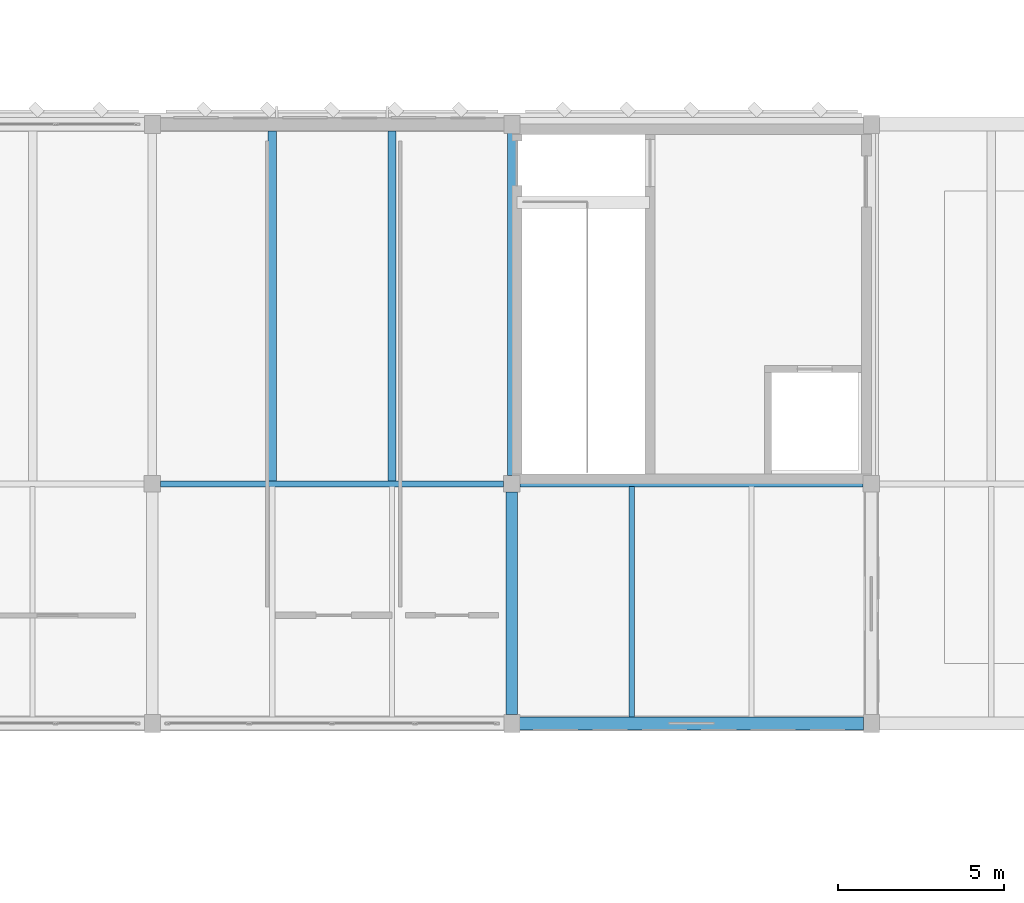
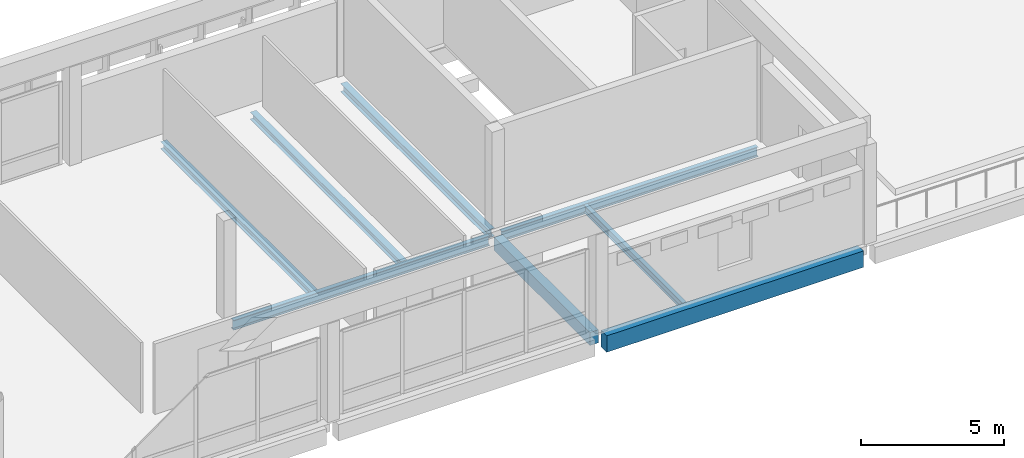
# One storey, part 16 of 33: 8 beams.
"""IFC4 building model written with IfcOpenShell, lengths in metres."""

import ifcopenshell
import ifcopenshell.guid

model = None  # the IFC model being written
_history = None  # IfcOwnerHistory: only IFC2X3 demands one
_inside = {}  # id of a spatial element -> (the spatial element, [elements in it])
_under = {}  # id of a project, library or spatial element -> (it, [spatial elements below it])
_declared = {}  # id of a project -> (the project, [libraries it declares])
_typed = {}  # id of a type object -> (the type object, [elements of that type])
_made_of = {}  # id of a material, layer set ... -> (it, [elements and type objects made of it])


def new_model(schema):
    """Start an empty IFC model of exactly this schema.

    Asked for "IFC4X3", IfcOpenShell would pick the latest addendum, in which some entities
    have other attributes; the version numbers below select the first issue.
    IFC2X3 requires an IfcOwnerHistory on every rooted entity: one is made here for all.
    """
    global model, _history
    if schema == "IFC4X3":
        model = ifcopenshell.file(schema_version=(4, 3, 0, 0))
    else:
        model = ifcopenshell.file(schema=schema)
    _inside.clear()
    _under.clear()
    _declared.clear()
    _typed.clear()
    _made_of.clear()
    _history = None
    if model.schema == "IFC2X3":
        org = make("IfcOrganization", Name="unknown")
        user = make(
            "IfcPersonAndOrganization",
            ThePerson=make("IfcPerson", FamilyName="unknown"),
            TheOrganization=org,
        )
        app = make(
            "IfcApplication",
            ApplicationDeveloper=org,
            Version="unknown",
            ApplicationFullName="unknown",
            ApplicationIdentifier="unknown",
        )
        _history = make(
            "IfcOwnerHistory",
            OwningUser=user,
            OwningApplication=app,
            ChangeAction="ADDED",
            CreationDate=0,
        )
    return model


def make(cls, **values):
    """One entity of the class cls with the attributes given. An attribute that is None is left unset."""
    return model.create_entity(
        cls, **{name: value for name, value in values.items() if value is not None}
    )


def rooted(cls, **values):
    """An entity with a GlobalId (a new one), such as an element, a storey or a relation."""
    return make(cls, GlobalId=ifcopenshell.guid.new(), OwnerHistory=_history, **values)


def si_unit(unit_type, name, prefix=None):
    """IfcSIUnit, for example si_unit("LENGTHUNIT", "METRE", prefix="MILLI")."""
    return make("IfcSIUnit", UnitType=unit_type, Prefix=prefix, Name=name)


def assignment(units):
    """IfcUnitAssignment: the units of a project."""
    return None if units is None else make("IfcUnitAssignment", Units=units)


def point(xyz):
    """IfcCartesianPoint."""
    return None if xyz is None else make("IfcCartesianPoint", Coordinates=xyz)


def direction(xyz):
    """IfcDirection."""
    return None if xyz is None else make("IfcDirection", DirectionRatios=xyz)


def frame(location, z_axis=None, x_axis=None):
    """IfcAxis2Placement3D, a coordinate frame: its origin and axes. An axis left out is left unset."""
    return make(
        "IfcAxis2Placement3D",
        Location=point(location),
        Axis=direction(z_axis),
        RefDirection=direction(x_axis),
    )


def frame_2d(location, x_axis=None):
    """IfcAxis2Placement2D, a coordinate frame in the plane: its origin and x axis."""
    return make(
        "IfcAxis2Placement2D", Location=point(location), RefDirection=direction(x_axis)
    )


def origin():
    """The frame at (0, 0, 0) with its axes left unset."""
    return frame((0.0, 0.0, 0.0))


def origin_2d():
    """The frame at (0, 0) in the plane with its x axis left unset."""
    return frame_2d((0.0, 0.0))


def place(relative_to, where):
    """IfcLocalPlacement: puts the frame where relative to a parent placement (None: the world)."""
    return make(
        "IfcLocalPlacement", PlacementRelTo=relative_to, RelativePlacement=where
    )


def context(
    kind, dimensions, precision=None, world=None, true_north=None, identifier=None
):
    """IfcGeometricRepresentationContext, for example the 3D "Model" context."""
    return make(
        "IfcGeometricRepresentationContext",
        ContextIdentifier=identifier,
        ContextType=kind,
        CoordinateSpaceDimension=dimensions,
        Precision=precision,
        WorldCoordinateSystem=world,
        TrueNorth=true_north,
    )


def subcontext(parent, identifier, kind, view, scale=None):
    """IfcGeometricRepresentationSubContext, for example "Body" below "Model"."""
    return make(
        "IfcGeometricRepresentationSubContext",
        ContextIdentifier=identifier,
        ContextType=kind,
        ParentContext=parent,
        TargetScale=scale,
        TargetView=view,
    )


def project(units=None, contexts=None):
    """IfcProject with its units and contexts."""
    return rooted(
        "IfcProject",
        Name="project",
        RepresentationContexts=contexts,
        UnitsInContext=assignment(units),
    )


def spatial(cls, under=None, at=None, **own):
    """A site, building, storey or space (cls), placed at a placement, below another one or the project."""
    s = rooted(cls, ObjectPlacement=at, **own)
    if under is not None:
        _under.setdefault(under.id(), (under, []))[1].append(s)
    return s


def profile(cls, at=None, kind="AREA", **sizes):
    """A parametric profile (cls). Its sizes go by their IFC names, for example OverallWidth=200.0."""
    return make(cls, ProfileType=kind, Position=at, **sizes)


def rectangle(**sizes):
    """IfcRectangleProfileDef."""
    return profile("IfcRectangleProfileDef", **sizes)


def i_section(**sizes):
    """IfcIShapeProfileDef."""
    return profile("IfcIShapeProfileDef", **sizes)


def extrude(swept, where, along, depth):
    """IfcExtrudedAreaSolid: the profile swept, set in the frame where, extruded along a direction by depth."""
    return make(
        "IfcExtrudedAreaSolid",
        SweptArea=swept,
        Position=where,
        ExtrudedDirection=direction(along),
        Depth=depth,
    )


def shape(context_of_items, identifier, shape_type, items):
    """IfcShapeRepresentation: the items that make up one representation, for example the "Body"."""
    return make(
        "IfcShapeRepresentation",
        ContextOfItems=context_of_items,
        RepresentationIdentifier=identifier,
        RepresentationType=shape_type,
        Items=items,
    )


def material(Name=None, Category=None):
    """IfcMaterial."""
    return make("IfcMaterial", Name=Name, Category=Category)


def material_profile(
    of_material, cross_section, Name=None, Category=None, Priority=None
):
    """IfcMaterialProfile: a cross section and its material."""
    return make(
        "IfcMaterialProfile",
        Name=Name,
        Material=of_material,
        Profile=cross_section,
        Priority=Priority,
        Category=Category,
    )


def profile_set(profiles, Name=None, composite=None):
    """IfcMaterialProfileSet."""
    return make(
        "IfcMaterialProfileSet",
        Name=Name,
        MaterialProfiles=profiles,
        CompositeProfile=composite,
    )


def made_of(thing, what):
    """Note that an element or type object is made of a material, layer set ...; save() writes the relation."""
    if what is not None:
        _made_of.setdefault(what.id(), (what, []))[1].append(thing)
    return thing


def type_object(cls, material=None, **own):
    """A type object (cls), such as IfcWallType, which elements share."""
    return made_of(rooted(cls, **own), material)


def element(
    cls,
    number,
    at=None,
    inside=None,
    cuts=None,
    type_object=None,
    material=None,
    context=None,
    identifier="Body",
    shape_type=None,
    held_by="IfcProductDefinitionShape",
    body=None,
    shapes=None,
    **own,
):
    """One element of the class cls, such as IfcWall. Its Tag is "e" and its number.

    at: its placement. inside: the storey or other place that contains it. cuts: it is an
    opening in that element (IfcRelVoidsElement). A single representation is given by context,
    identifier, shape_type and body (its items); several are given by shapes. held_by: the class
    of the entity that holds the representations. save() writes the other relations.
    """
    e = rooted(cls, Tag="e%d" % number, ObjectPlacement=at, **own)
    if body is not None:
        shapes = [shape(context, identifier, shape_type, body)]
    if shapes is not None:
        e.Representation = make(held_by, Representations=shapes)
    if inside is not None:
        _inside.setdefault(inside.id(), (inside, []))[1].append(e)
    if cuts is not None:
        rooted(
            "IfcRelVoidsElement", RelatingBuildingElement=cuts, RelatedOpeningElement=e
        )
    if type_object is not None:
        _typed.setdefault(type_object.id(), (type_object, []))[1].append(e)
    return made_of(e, material)


def aggregate(whole, parts):
    """IfcRelAggregates: a whole, such as a stair, and the parts it consists of."""
    return rooted("IfcRelAggregates", RelatingObject=whole, RelatedObjects=parts)


def save(model, path):
    """Write the relations noted so far, then the file.

    IfcRelAggregates (storeys below a building ...), IfcRelContainedInSpatialStructure (elements
    in a storey), IfcRelDefinesByType, IfcRelAssociatesMaterial and IfcRelDeclares: one each for
    every whole, place, type object, material and project.
    """
    for whole, parts in _under.values():
        aggregate(whole, parts)
    for where, things in _inside.values():
        rooted(
            "IfcRelContainedInSpatialStructure",
            RelatedElements=things,
            RelatingStructure=where,
        )
    for kind, things in _typed.values():
        rooted("IfcRelDefinesByType", RelatedObjects=things, RelatingType=kind)
    for what, things in _made_of.values():
        rooted("IfcRelAssociatesMaterial", RelatedObjects=things, RelatingMaterial=what)
    for by, libraries in _declared.values():
        rooted("IfcRelDeclares", RelatingContext=by, RelatedDefinitions=libraries)
    model.write(path)


model = new_model("IFC4")

# Units and contexts
model_context = context("Model", 3, precision=1e-05, world=origin(), true_north=direction((0.0, 1.0)))
body_context = subcontext(model_context, "Body", "Model", "MODEL_VIEW")
ifc_project = project(units=[si_unit("LENGTHUNIT", "METRE"), si_unit("AREAUNIT", "SQUARE_METRE"), si_unit("VOLUMEUNIT", "CUBIC_METRE"), si_unit("PLANEANGLEUNIT", "RADIAN"), si_unit("MASSUNIT", "GRAM", prefix="KILO")], contexts=[model_context])

# Site, building, storey
site_placement = place(None, origin())
site = spatial("IfcSite", under=ifc_project, at=site_placement, CompositionType="ELEMENT")
building_placement = place(site_placement, origin())
building = spatial("IfcBuilding", under=site, at=building_placement, Name="Lusvemor Sports Hall", CompositionType="ELEMENT")
storey_placement = place(building_placement, frame((0.0, 0.0, 19.199951171875)))
storey = spatial("IfcBuildingStorey", under=building, at=storey_placement, Name="L04", CompositionType="ELEMENT", Elevation=19.199951171875)

# Beams
ifc_material_1 = material(Name="Concrete C40/50", Category="concrete")
ifc_material_profile_1 = material_profile(ifc_material_1, rectangle(XDim=0.35009765625, YDim=0.550048828125, at=origin_2d()), Name="RC350x550")
ifc_profile_set_1 = profile_set([ifc_material_profile_1], Name="Concrete C40/50")
beam_type_1 = type_object("IfcBeamType", Name="BEAM_RC_550", PredefinedType="BEAM", material=ifc_profile_set_1)
beam_1_placement = place(storey_placement, frame((54.0, 97.466064453125, -0.56494140625), z_axis=(0.0, 1.0, 0.0), x_axis=(-1.0, 0.0, 0.0)))
element("IfcBeam", 1, at=beam_1_placement, inside=storey, type_object=beam_type_1, Name="Beam L04 6:N-P", PredefinedType="BEAM", context=body_context, shape_type="SweptSolid", body=[
    extrude(rectangle(XDim=0.35009765625, YDim=0.550048828125, at=origin_2d()), origin(), (0.0, 0.0, 1.0), 6.68798828125),
])
ifc_material_2 = material(Name="Steel S355", Category="steel")
ifc_material_profile_2 = material_profile(ifc_material_2, i_section(OverallWidth=0.256103515625, OverallDepth=0.360107421875, WebThickness=0.011474609375, FlangeThickness=0.02001953125, FilletRadius=0.014892578125, at=origin_2d()), Name="W360x110.0")
ifc_profile_set_2 = profile_set([ifc_material_profile_2], Name="Steel S355")
beam_type_2 = type_object("IfcBeamType", Name="BEAM_ST_360H", PredefinedType="BEAM", material=ifc_profile_set_2)
beam_2_placement = place(storey_placement, frame((54.0, 104.64599609375, -0.473876953125), z_axis=(0.0, 1.0, 0.0), x_axis=(-1.0, 0.0, 0.0)))
element("IfcBeam", 2, at=beam_2_placement, inside=storey, type_object=beam_type_2, Name="Beam L04 6:P-Q", PredefinedType="BEAM", context=body_context, shape_type="SweptSolid", body=[
    extrude(i_section(OverallWidth=0.256103515625, OverallDepth=0.360107421875, WebThickness=0.011474609375, FlangeThickness=0.02001953125, FilletRadius=0.014892578125, at=origin_2d()), origin(), (0.0, 0.0, 1.0), 10.2880859375),
])
ifc_material_3 = material(Name="Steel S355", Category="steel")
ifc_material_profile_3 = material_profile(ifc_material_3, i_section(OverallWidth=0.180908203125, OverallDepth=0.4169921875, WebThickness=0.010986328125, FlangeThickness=0.018310546875, FilletRadius=0.01611328125, at=origin_2d()), Name="W410x85.0")
ifc_profile_set_3 = profile_set([ifc_material_profile_3], Name="Steel S355")
beam_type_3 = type_object("IfcBeamType", Name="BEAM_ST_410H", PredefinedType="BEAM", material=ifc_profile_set_3)
for number, where, z_axis, x_axis, name in (
    (3, (43.446044921875, 104.39990234375, -0.50244140625), (1.0, 0.0, 0.0), (0.0, 1.0, 0.0), "Beam L04 P:5-6"),
    (4, (54.24609375, 104.39990234375, -0.50244140625), (1.0, 0.0, 0.0), (0.0, 1.0, 0.0), "Beam L04 P:6-7"),
):
    element("IfcBeam", number, at=place(storey_placement, frame(where, z_axis=z_axis, x_axis=x_axis)), inside=storey, type_object=beam_type_3, Name=name, PredefinedType="BEAM", context=body_context, shape_type="SweptSolid", body=[
        extrude(i_section(OverallWidth=0.180908203125, OverallDepth=0.4169921875, WebThickness=0.010986328125, FlangeThickness=0.018310546875, FilletRadius=0.01611328125, at=origin_2d()), origin(), (0.0, 0.0, 1.0), 10.307861328125),
    ])
ifc_material_4 = material(Name="Steel S355", Category="steel")
ifc_material_profile_4 = material_profile(ifc_material_4, i_section(OverallWidth=0.25390625, OverallDepth=0.305908203125, WebThickness=0.0087890625, FlangeThickness=0.0146484375, FilletRadius=0.014892578125, at=origin_2d()), Name="W310x79.0")
ifc_profile_set_4 = profile_set([ifc_material_profile_4], Name="Steel S355")
beam_type_4 = type_object("IfcBeamType", Name="JOIST_ST_310H", PredefinedType="JOIST", material=ifc_profile_set_4)
for number, where, z_axis, x_axis, name in (
    (5, (46.800048828125, 104.486572265625, -0.447021484375), (0.0, 1.0, 0.0), (-1.0, 0.0, 0.0), "Secondary Joist L04 5-6/P-Q #1"),
    (6, (50.39990234375, 104.486572265625, -0.447021484375), (0.0, 1.0, 0.0), (-1.0, 0.0, 0.0), "Secondary Joist L04 5-6/P-Q #2"),
):
    element("IfcBeam", number, at=place(storey_placement, frame(where, z_axis=z_axis, x_axis=x_axis)), inside=storey, type_object=beam_type_4, Name=name, PredefinedType="JOIST", context=body_context, shape_type="SweptSolid", body=[
        extrude(i_section(OverallWidth=0.25390625, OverallDepth=0.305908203125, WebThickness=0.0087890625, FlangeThickness=0.0146484375, FilletRadius=0.014892578125, at=origin_2d()), origin(), (0.0, 0.0, 1.0), 10.517333984375),
    ])
ifc_material_5 = material(Name="Steel S355", Category="steel")
ifc_material_profile_5 = material_profile(ifc_material_5, i_section(OverallWidth=0.1669921875, OverallDepth=0.31689453125, WebThickness=0.007568359375, FlangeThickness=0.01318359375, FilletRadius=0.014892578125, at=origin_2d()), Name="W310x52.0")
ifc_profile_set_5 = profile_set([ifc_material_profile_5], Name="Steel S355")
beam_type_5 = type_object("IfcBeamType", Name="JOIST_ST_310M", PredefinedType="JOIST", material=ifc_profile_set_5)
beam_3_placement = place(storey_placement, frame((57.60009765625, 97.39599609375, -0.452392578125), z_axis=(0.0, 1.0, 0.0), x_axis=(-1.0, 0.0, 0.0)))
element("IfcBeam", 7, at=beam_3_placement, inside=storey, type_object=beam_type_5, Name="Secondary Joist L04 6-7/N-P #1", PredefinedType="JOIST", context=body_context, shape_type="SweptSolid", body=[
    extrude(i_section(OverallWidth=0.1669921875, OverallDepth=0.31689453125, WebThickness=0.007568359375, FlangeThickness=0.01318359375, FilletRadius=0.014892578125, at=origin_2d()), origin(), (0.0, 0.0, 1.0), 6.91748046875),
])
ifc_material_6 = material(Name="Concrete C40/50", Category="concrete")
ifc_material_profile_6 = material_profile(ifc_material_6, rectangle(XDim=0.39990234375, YDim=0.699951171875, at=origin_2d()), Name="RC400x700")
ifc_profile_set_6 = profile_set([ifc_material_profile_6], Name="Concrete C40/50")
beam_type_6 = type_object("IfcBeamType", Name="SPAND_EXT_700", PredefinedType="SPANDREL", material=ifc_profile_set_6)
beam_4_placement = place(storey_placement, frame((54.236083984375, 97.199951171875, -0.639892578125), z_axis=(1.0, 0.0, 0.0), x_axis=(0.0, 1.0, 0.0)))
element("IfcBeam", 8, at=beam_4_placement, inside=storey, type_object=beam_type_6, Name="Beam L04 N:6-7", PredefinedType="SPANDREL", context=body_context, shape_type="SweptSolid", body=[
    extrude(rectangle(XDim=0.39990234375, YDim=0.699951171875, at=origin_2d()), origin(), (0.0, 0.0, 1.0), 10.327880859375),
])

save(model, "model.ifc")
